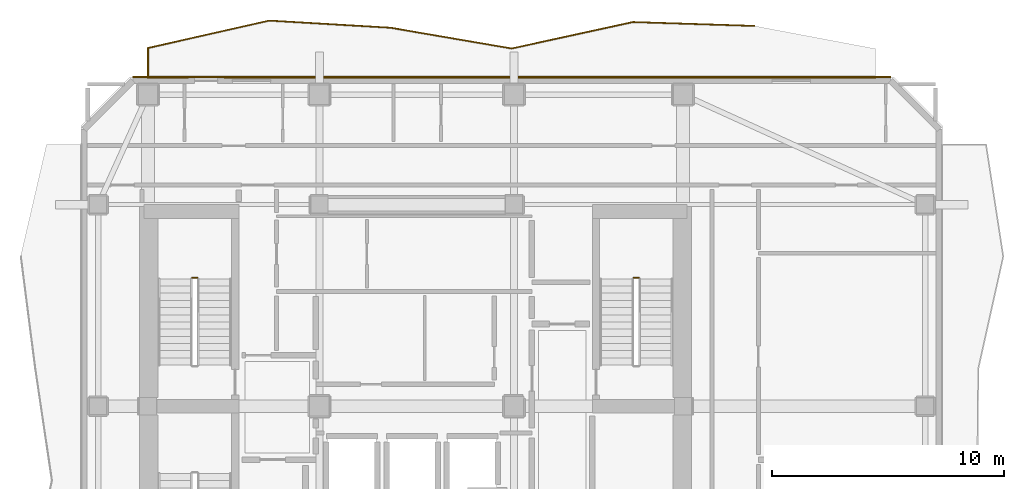
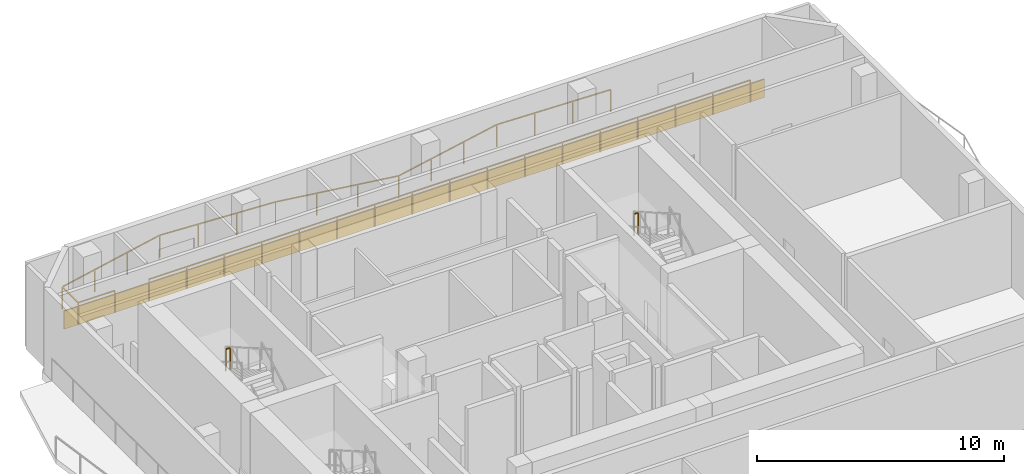
# One storey, part 10 of 10: 4 railings, 1 covering.
"""IFC4 building model written with IfcOpenShell, lengths in metres."""

from ifc_helpers import new_model, si_unit, direction, frame, frame_2d, origin, origin_2d, place, context, subcontext, project, spatial, rectangle, extrude, material, layer, layer_set, type_object, element, save


model = new_model("IFC4")

# Units and contexts
model_context = context("Model", 3, precision=1e-05, world=origin(), true_north=direction((0.0, 1.0)))
body_context = subcontext(model_context, "Body", "Model", "MODEL_VIEW")
ifc_project = project(units=[si_unit("LENGTHUNIT", "METRE"), si_unit("AREAUNIT", "SQUARE_METRE"), si_unit("VOLUMEUNIT", "CUBIC_METRE"), si_unit("PLANEANGLEUNIT", "RADIAN"), si_unit("MASSUNIT", "GRAM", prefix="KILO")], contexts=[model_context])

# Site, building, storey
site_placement = place(None, origin())
site = spatial("IfcSite", under=ifc_project, at=site_placement, CompositionType="ELEMENT")
building_placement = place(site_placement, origin())
building = spatial("IfcBuilding", under=site, at=building_placement, Name="Solanera Arch Residences", CompositionType="ELEMENT")
storey_placement = place(building_placement, frame((0.0, 0.0, 226.679931640625)))
storey = spatial("IfcBuildingStorey", under=building, at=storey_placement, Name="L66", CompositionType="ELEMENT", Elevation=226.679931640625)

# Railings
ifc_material_1 = material(Name="Steel S355 (ASTM A992 / A572 Grade 50)", Category="steel")
railing_type_1 = type_object("IfcRailingType", Name="Balustrade Railing BL-1100", PredefinedType="BALUSTRADE", material=ifc_material_1)
railing_1_placement = place(storey_placement, frame((39.56689453125, 47.1201171875, 0.0)))
element("IfcRailing", 1, at=railing_1_placement, inside=storey, type_object=railing_type_1, Name="L66 N Balcony Balustrade 1", PredefinedType="BALUSTRADE", context=body_context, shape_type="SweptSolid", body=[
    extrude(rectangle(XDim=0.048095703125, YDim=0.048095703125, at=origin_2d()), frame((0.0, 0.0, 1.09619140625), z_axis=(-0.999491393099, 0.031889733785, 0.0), x_axis=(-0.031889733785, -0.999491393099, 0.0)), (0.0, 0.0, 1.0), 5.236572265625),
    extrude(rectangle(XDim=0.048095703125, YDim=0.048095703125, at=origin_2d()), frame((-5.23388671875, 0.1669921875, 1.09619140625), z_axis=(-0.976963607796, -0.213405972366, 0.0), x_axis=(0.213405972366, -0.976963607796, 0.0)), (0.0, 0.0, 1.0), 5.356201171875),
    extrude(rectangle(XDim=0.048095703125, YDim=0.048095703125, at=origin_2d()), frame((-10.466796875, -0.97607421875, 1.09619140625), z_axis=(-0.985595989074, 0.169116960477, 0.0), x_axis=(-0.169116960477, -0.985595989074, 0.0)), (0.0, 0.0, 1.0), 5.3095703125),
    extrude(rectangle(XDim=0.048095703125, YDim=0.048095703125, at=origin_2d()), frame((-15.699951171875, -0.078125, 1.09619140625), z_axis=(-0.998282712855, 0.05858007523, 0.0), x_axis=(-0.05858007523, -0.998282712855, 0.0)), (0.0, 0.0, 1.0), 5.242919921875),
    extrude(rectangle(XDim=0.048095703125, YDim=0.048095703125, at=origin_2d()), frame((-20.933837890625, 0.22900390625, 1.09619140625), z_axis=(-0.975344723217, -0.22068681631, 0.0), x_axis=(0.22068681631, -0.975344723217, 0.0)), (0.0, 0.0, 1.0), 5.365478515625),
    extrude(rectangle(XDim=0.048095703125, YDim=0.048095703125, at=origin_2d()), frame((-26.1669921875, -0.955078125, 1.09619140625), z_axis=(0.0, -1.0, 0.0), x_axis=(1.0, 0.0, 0.0)), (0.0, 0.0, 1.0), 1.28515625),
    extrude(rectangle(XDim=0.048095703125, YDim=0.048095703125, at=origin_2d()), frame((-26.1669921875, -2.240234375, 1.09619140625), z_axis=(1.0, 0.0, 0.0), x_axis=(0.0, 1.0, 0.0)), (0.0, 0.0, 1.0), 1.710205078125),
    extrude(rectangle(XDim=0.0419921875, YDim=0.0419921875, at=origin_2d()), origin(), (0.0, 0.0, 1.0), 1.072021484375),
    extrude(rectangle(XDim=0.0419921875, YDim=0.0419921875, at=origin_2d()), frame((-1.74462890625, 0.0556640625, 0.0)), (0.0, 0.0, 1.0), 1.072021484375),
    extrude(rectangle(XDim=0.0419921875, YDim=0.0419921875, at=origin_2d()), frame((-3.4892578125, 0.111328125, 0.0)), (0.0, 0.0, 1.0), 1.072021484375),
    extrude(rectangle(XDim=0.0419921875, YDim=0.0419921875, at=origin_2d()), frame((-5.23388671875, 0.1669921875, 0.0)), (0.0, 0.0, 1.0), 1.072021484375),
    extrude(rectangle(XDim=0.0419921875, YDim=0.0419921875, at=origin_2d()), frame((-6.978271484375, -0.214111328125, 0.0)), (0.0, 0.0, 1.0), 1.072021484375),
    extrude(rectangle(XDim=0.0419921875, YDim=0.0419921875, at=origin_2d()), frame((-8.722412109375, -0.594970703125, 0.0)), (0.0, 0.0, 1.0), 1.072021484375),
    extrude(rectangle(XDim=0.0419921875, YDim=0.0419921875, at=origin_2d()), frame((-10.466796875, -0.97607421875, 0.0)), (0.0, 0.0, 1.0), 1.072021484375),
    extrude(rectangle(XDim=0.0419921875, YDim=0.0419921875, at=origin_2d()), frame((-12.211181640625, -0.6767578125, 0.0)), (0.0, 0.0, 1.0), 1.072021484375),
    extrude(rectangle(XDim=0.0419921875, YDim=0.0419921875, at=origin_2d()), frame((-13.95556640625, -0.37744140625, 0.0)), (0.0, 0.0, 1.0), 1.072021484375),
    extrude(rectangle(XDim=0.0419921875, YDim=0.0419921875, at=origin_2d()), frame((-15.699951171875, -0.078125, 0.0)), (0.0, 0.0, 1.0), 1.072021484375),
    extrude(rectangle(XDim=0.0419921875, YDim=0.0419921875, at=origin_2d()), frame((-17.444580078125, 0.024169921875, 0.0)), (0.0, 0.0, 1.0), 1.072021484375),
    extrude(rectangle(XDim=0.0419921875, YDim=0.0419921875, at=origin_2d()), frame((-19.189208984375, 0.126708984375, 0.0)), (0.0, 0.0, 1.0), 1.072021484375),
    extrude(rectangle(XDim=0.0419921875, YDim=0.0419921875, at=origin_2d()), frame((-20.933837890625, 0.22900390625, 0.0)), (0.0, 0.0, 1.0), 1.072021484375),
    extrude(rectangle(XDim=0.0419921875, YDim=0.0419921875, at=origin_2d()), frame((-22.67822265625, -0.165771484375, 0.0)), (0.0, 0.0, 1.0), 1.072021484375),
    extrude(rectangle(XDim=0.0419921875, YDim=0.0419921875, at=origin_2d()), frame((-24.422607421875, -0.560302734375, 0.0)), (0.0, 0.0, 1.0), 1.072021484375),
    extrude(rectangle(XDim=0.0419921875, YDim=0.0419921875, at=origin_2d()), frame((-26.1669921875, -0.955078125, 0.0)), (0.0, 0.0, 1.0), 1.072021484375),
    extrude(rectangle(XDim=0.0419921875, YDim=0.0419921875, at=origin_2d()), frame((-26.1669921875, -2.240234375, 0.0)), (0.0, 0.0, 1.0), 1.072021484375),
    extrude(rectangle(XDim=0.0419921875, YDim=0.0419921875, at=origin_2d()), frame((-24.456787109375, -2.240234375, 0.0)), (0.0, 0.0, 1.0), 1.072021484375),
])
railing_2_placement = place(storey_placement, frame((16.7099609375, 44.8798828125, 0.0)))
element("IfcRailing", 2, at=railing_2_placement, inside=storey, type_object=railing_type_1, Name="L66 N Balcony Balustrade 2", PredefinedType="BALUSTRADE", context=body_context, shape_type="SweptSolid", body=[
    extrude(rectangle(XDim=0.048095703125, YDim=0.048095703125, at=origin_2d()), frame((0.0, 0.0, 1.09619140625), z_axis=(1.0, 0.0, 0.0), x_axis=(0.0, 1.0, 0.0)), (0.0, 0.0, 1.0), 28.090087890625),
    extrude(rectangle(XDim=0.0419921875, YDim=0.0419921875, at=origin_2d()), origin(), (0.0, 0.0, 1.0), 1.072021484375),
    extrude(rectangle(XDim=0.0419921875, YDim=0.0419921875, at=origin_2d()), frame((1.755615234375, 0.0, 0.0)), (0.0, 0.0, 1.0), 1.072021484375),
    extrude(rectangle(XDim=0.0419921875, YDim=0.0419921875, at=origin_2d()), frame((3.51123046875, 0.0, 0.0)), (0.0, 0.0, 1.0), 1.072021484375),
    extrude(rectangle(XDim=0.0419921875, YDim=0.0419921875, at=origin_2d()), frame((5.266845703125, 0.0, 0.0)), (0.0, 0.0, 1.0), 1.072021484375),
    extrude(rectangle(XDim=0.0419921875, YDim=0.0419921875, at=origin_2d()), frame((7.0224609375, 0.0, 0.0)), (0.0, 0.0, 1.0), 1.072021484375),
    extrude(rectangle(XDim=0.0419921875, YDim=0.0419921875, at=origin_2d()), frame((8.778076171875, 0.0, 0.0)), (0.0, 0.0, 1.0), 1.072021484375),
    extrude(rectangle(XDim=0.0419921875, YDim=0.0419921875, at=origin_2d()), frame((10.53369140625, 0.0, 0.0)), (0.0, 0.0, 1.0), 1.072021484375),
    extrude(rectangle(XDim=0.0419921875, YDim=0.0419921875, at=origin_2d()), frame((12.289306640625, 0.0, 0.0)), (0.0, 0.0, 1.0), 1.072021484375),
    extrude(rectangle(XDim=0.0419921875, YDim=0.0419921875, at=origin_2d()), frame((14.044921875, 0.0, 0.0)), (0.0, 0.0, 1.0), 1.072021484375),
    extrude(rectangle(XDim=0.0419921875, YDim=0.0419921875, at=origin_2d()), frame((15.80078125, 0.0, 0.0)), (0.0, 0.0, 1.0), 1.072021484375),
    extrude(rectangle(XDim=0.0419921875, YDim=0.0419921875, at=origin_2d()), frame((17.556396484375, 0.0, 0.0)), (0.0, 0.0, 1.0), 1.072021484375),
    extrude(rectangle(XDim=0.0419921875, YDim=0.0419921875, at=origin_2d()), frame((19.31201171875, 0.0, 0.0)), (0.0, 0.0, 1.0), 1.072021484375),
    extrude(rectangle(XDim=0.0419921875, YDim=0.0419921875, at=origin_2d()), frame((21.067626953125, 0.0, 0.0)), (0.0, 0.0, 1.0), 1.072021484375),
    extrude(rectangle(XDim=0.0419921875, YDim=0.0419921875, at=origin_2d()), frame((22.8232421875, 0.0, 0.0)), (0.0, 0.0, 1.0), 1.072021484375),
    extrude(rectangle(XDim=0.0419921875, YDim=0.0419921875, at=origin_2d()), frame((24.578857421875, 0.0, 0.0)), (0.0, 0.0, 1.0), 1.072021484375),
    extrude(rectangle(XDim=0.0419921875, YDim=0.0419921875, at=origin_2d()), frame((26.33447265625, 0.0, 0.0)), (0.0, 0.0, 1.0), 1.072021484375),
    extrude(rectangle(XDim=0.0419921875, YDim=0.0419921875, at=origin_2d()), frame((28.090087890625, 0.0, 0.0)), (0.0, 0.0, 1.0), 1.072021484375),
])

# Covering
ifc_material_2 = material(Name="Philippine Adobe Travertine Cladding", Category="masonry")
ifc_layer = layer(ifc_material_2, 0.06005859375)
ifc_layer_set = layer_set([ifc_layer], Name="Philippine Adobe Travertine Cladding")
covering_type = type_object("IfcCoveringType", Name="Precast Pier Stone Cladding CLD-60", PredefinedType="CLADDING", material=ifc_layer_set)
covering_placement = place(storey_placement, frame((12.7451171875, 44.9150390625, 0.0), z_axis=(0.0, 0.0, 1.0), x_axis=(1.0, 0.0, 0.0)))
element("IfcCovering", 3, at=covering_placement, inside=storey, type_object=covering_type, Name="L66 N Precast Spandrel Stone Band", PredefinedType="CLADDING", context=body_context, shape_type="SweptSolid", body=[
    extrude(rectangle(XDim=32.7099609375, YDim=0.06005859375, at=frame_2d((16.35498046875, 0.0))), origin(), (0.0, 0.0, 1.0), 0.900146484375),
])

# Railings
ifc_material_3 = material(Name="Steel S355 (ASTM A992 / A572 Grade 50)", Category="steel")
railing_type_2 = type_object("IfcRailingType", Name="Stair Guardrail GR-1100", PredefinedType="GUARDRAIL", material=ifc_material_3)
railing_3_placement = place(storey_placement, frame((15.52001953125, 36.25, 2.28515625)))
element("IfcRailing", 4, at=railing_3_placement, inside=storey, type_object=railing_type_2, Name="L66 ST-T1 stair guard 2", PredefinedType="GUARDRAIL", context=body_context, shape_type="SweptSolid", body=[
    extrude(rectangle(XDim=0.048095703125, YDim=0.048095703125, at=origin_2d()), frame((0.0, 0.0, 1.076171875), z_axis=(-1.0, 0.0, 0.0), x_axis=(0.0, -1.0, 0.0)), (0.0, 0.0, 1.0), 0.199951171875),
    extrude(rectangle(XDim=0.0419921875, YDim=0.0419921875, at=origin_2d()), origin(), (0.0, 0.0, 1.0), 1.052001953125),
    extrude(rectangle(XDim=0.0419921875, YDim=0.0419921875, at=origin_2d()), frame((-0.199951171875, 0.0, 0.0)), (0.0, 0.0, 1.0), 1.052001953125),
])
railing_4_placement = place(storey_placement, frame((34.580078125, 36.25, 2.28515625)))
element("IfcRailing", 5, at=railing_4_placement, inside=storey, type_object=railing_type_2, Name="L66 ST-T2 stair guard 2", PredefinedType="GUARDRAIL", context=body_context, shape_type="SweptSolid", body=[
    extrude(rectangle(XDim=0.048095703125, YDim=0.048095703125, at=origin_2d()), frame((0.0, 0.0, 1.076171875), z_axis=(-1.0, 0.0, 0.0), x_axis=(0.0, -1.0, 0.0)), (0.0, 0.0, 1.0), 0.2001953125),
    extrude(rectangle(XDim=0.0419921875, YDim=0.0419921875, at=origin_2d()), origin(), (0.0, 0.0, 1.0), 1.052001953125),
    extrude(rectangle(XDim=0.0419921875, YDim=0.0419921875, at=origin_2d()), frame((-0.2001953125, 0.0, 0.0)), (0.0, 0.0, 1.0), 1.052001953125),
])

save(model, "model.ifc")
